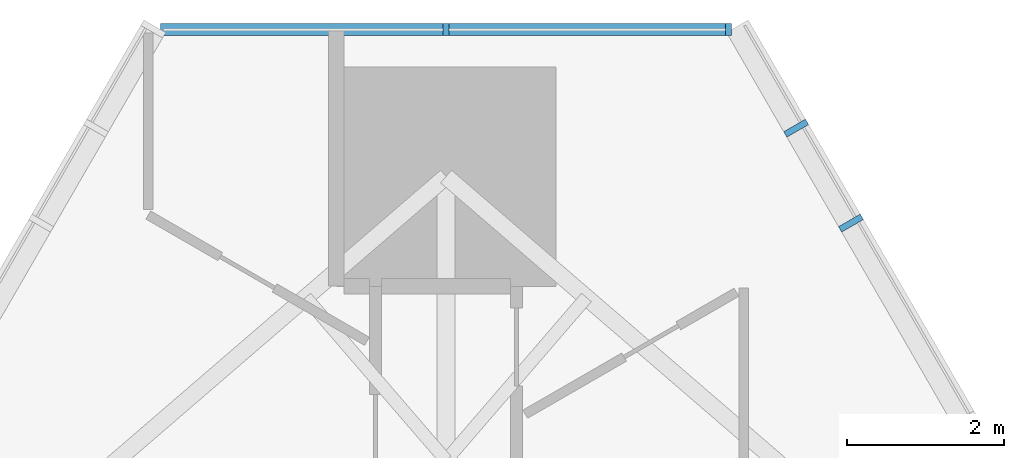
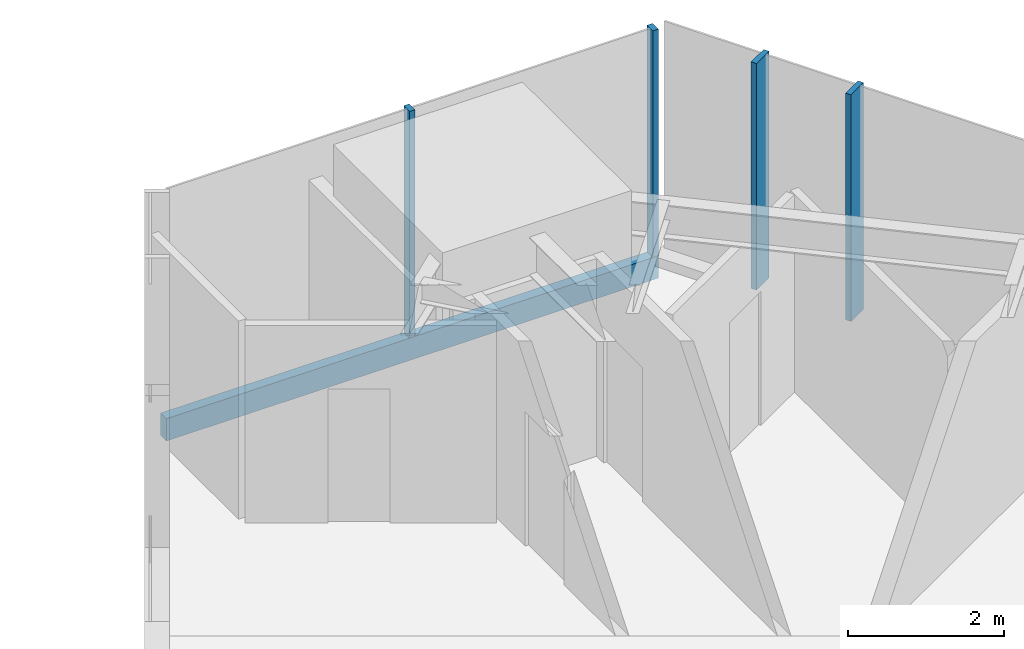
# One storey, part 8 of 24: 5 members, 2 elements without a shape of their own.
"""IFC4 building model written with IfcOpenShell, lengths in metres."""

import ifcopenshell
import ifcopenshell.guid

model = None  # the IFC model being written
_history = None  # IfcOwnerHistory: only IFC2X3 demands one
_inside = {}  # id of a spatial element -> (the spatial element, [elements in it])
_under = {}  # id of a project, library or spatial element -> (it, [spatial elements below it])
_declared = {}  # id of a project -> (the project, [libraries it declares])
_typed = {}  # id of a type object -> (the type object, [elements of that type])
_made_of = {}  # id of a material, layer set ... -> (it, [elements and type objects made of it])


def new_model(schema):
    """Start an empty IFC model of exactly this schema.

    Asked for "IFC4X3", IfcOpenShell would pick the latest addendum, in which some entities
    have other attributes; the version numbers below select the first issue.
    IFC2X3 requires an IfcOwnerHistory on every rooted entity: one is made here for all.
    """
    global model, _history
    if schema == "IFC4X3":
        model = ifcopenshell.file(schema_version=(4, 3, 0, 0))
    else:
        model = ifcopenshell.file(schema=schema)
    _inside.clear()
    _under.clear()
    _declared.clear()
    _typed.clear()
    _made_of.clear()
    _history = None
    if model.schema == "IFC2X3":
        org = make("IfcOrganization", Name="unknown")
        user = make(
            "IfcPersonAndOrganization",
            ThePerson=make("IfcPerson", FamilyName="unknown"),
            TheOrganization=org,
        )
        app = make(
            "IfcApplication",
            ApplicationDeveloper=org,
            Version="unknown",
            ApplicationFullName="unknown",
            ApplicationIdentifier="unknown",
        )
        _history = make(
            "IfcOwnerHistory",
            OwningUser=user,
            OwningApplication=app,
            ChangeAction="ADDED",
            CreationDate=0,
        )
    return model


def make(cls, **values):
    """One entity of the class cls with the attributes given. An attribute that is None is left unset."""
    return model.create_entity(
        cls, **{name: value for name, value in values.items() if value is not None}
    )


def rooted(cls, **values):
    """An entity with a GlobalId (a new one), such as an element, a storey or a relation."""
    return make(cls, GlobalId=ifcopenshell.guid.new(), OwnerHistory=_history, **values)


def si_unit(unit_type, name, prefix=None):
    """IfcSIUnit, for example si_unit("LENGTHUNIT", "METRE", prefix="MILLI")."""
    return make("IfcSIUnit", UnitType=unit_type, Prefix=prefix, Name=name)


def assignment(units):
    """IfcUnitAssignment: the units of a project."""
    return None if units is None else make("IfcUnitAssignment", Units=units)


def point(xyz):
    """IfcCartesianPoint."""
    return None if xyz is None else make("IfcCartesianPoint", Coordinates=xyz)


def direction(xyz):
    """IfcDirection."""
    return None if xyz is None else make("IfcDirection", DirectionRatios=xyz)


def frame(location, z_axis=None, x_axis=None):
    """IfcAxis2Placement3D, a coordinate frame: its origin and axes. An axis left out is left unset."""
    return make(
        "IfcAxis2Placement3D",
        Location=point(location),
        Axis=direction(z_axis),
        RefDirection=direction(x_axis),
    )


def frame_2d(location, x_axis=None):
    """IfcAxis2Placement2D, a coordinate frame in the plane: its origin and x axis."""
    return make(
        "IfcAxis2Placement2D", Location=point(location), RefDirection=direction(x_axis)
    )


def origin():
    """The frame at (0, 0, 0) with its axes left unset."""
    return frame((0.0, 0.0, 0.0))


def origin_2d():
    """The frame at (0, 0) in the plane with its x axis left unset."""
    return frame_2d((0.0, 0.0))


def place(relative_to, where):
    """IfcLocalPlacement: puts the frame where relative to a parent placement (None: the world)."""
    return make(
        "IfcLocalPlacement", PlacementRelTo=relative_to, RelativePlacement=where
    )


def context(
    kind, dimensions, precision=None, world=None, true_north=None, identifier=None
):
    """IfcGeometricRepresentationContext, for example the 3D "Model" context."""
    return make(
        "IfcGeometricRepresentationContext",
        ContextIdentifier=identifier,
        ContextType=kind,
        CoordinateSpaceDimension=dimensions,
        Precision=precision,
        WorldCoordinateSystem=world,
        TrueNorth=true_north,
    )


def subcontext(parent, identifier, kind, view, scale=None):
    """IfcGeometricRepresentationSubContext, for example "Body" below "Model"."""
    return make(
        "IfcGeometricRepresentationSubContext",
        ContextIdentifier=identifier,
        ContextType=kind,
        ParentContext=parent,
        TargetScale=scale,
        TargetView=view,
    )


def project(units=None, contexts=None):
    """IfcProject with its units and contexts."""
    return rooted(
        "IfcProject",
        Name="project",
        RepresentationContexts=contexts,
        UnitsInContext=assignment(units),
    )


def spatial(cls, under=None, at=None, **own):
    """A site, building, storey or space (cls), placed at a placement, below another one or the project."""
    s = rooted(cls, ObjectPlacement=at, **own)
    if under is not None:
        _under.setdefault(under.id(), (under, []))[1].append(s)
    return s


def profile(cls, at=None, kind="AREA", **sizes):
    """A parametric profile (cls). Its sizes go by their IFC names, for example OverallWidth=200.0."""
    return make(cls, ProfileType=kind, Position=at, **sizes)


def rectangle(**sizes):
    """IfcRectangleProfileDef."""
    return profile("IfcRectangleProfileDef", **sizes)


def extrude(swept, where, along, depth):
    """IfcExtrudedAreaSolid: the profile swept, set in the frame where, extruded along a direction by depth."""
    return make(
        "IfcExtrudedAreaSolid",
        SweptArea=swept,
        Position=where,
        ExtrudedDirection=direction(along),
        Depth=depth,
    )


def shape(context_of_items, identifier, shape_type, items):
    """IfcShapeRepresentation: the items that make up one representation, for example the "Body"."""
    return make(
        "IfcShapeRepresentation",
        ContextOfItems=context_of_items,
        RepresentationIdentifier=identifier,
        RepresentationType=shape_type,
        Items=items,
    )


def material(Name=None, Category=None):
    """IfcMaterial."""
    return make("IfcMaterial", Name=Name, Category=Category)


def layer(
    of_material, thickness, ventilated=None, Name=None, Category=None, Priority=None
):
    """IfcMaterialLayer: one layer of a wall or slab, of a material (None: an air gap)."""
    return make(
        "IfcMaterialLayer",
        Material=of_material,
        LayerThickness=thickness,
        IsVentilated=ventilated,
        Name=Name,
        Category=Category,
        Priority=Priority,
    )


def layer_set(layers, Name=None):
    """IfcMaterialLayerSet."""
    return make("IfcMaterialLayerSet", MaterialLayers=layers, LayerSetName=Name)


def material_profile(
    of_material, cross_section, Name=None, Category=None, Priority=None
):
    """IfcMaterialProfile: a cross section and its material."""
    return make(
        "IfcMaterialProfile",
        Name=Name,
        Material=of_material,
        Profile=cross_section,
        Priority=Priority,
        Category=Category,
    )


def profile_set(profiles, Name=None, composite=None):
    """IfcMaterialProfileSet."""
    return make(
        "IfcMaterialProfileSet",
        Name=Name,
        MaterialProfiles=profiles,
        CompositeProfile=composite,
    )


def made_of(thing, what):
    """Note that an element or type object is made of a material, layer set ...; save() writes the relation."""
    if what is not None:
        _made_of.setdefault(what.id(), (what, []))[1].append(thing)
    return thing


def type_object(cls, material=None, **own):
    """A type object (cls), such as IfcWallType, which elements share."""
    return made_of(rooted(cls, **own), material)


def element(
    cls,
    number,
    at=None,
    inside=None,
    cuts=None,
    type_object=None,
    material=None,
    context=None,
    identifier="Body",
    shape_type=None,
    held_by="IfcProductDefinitionShape",
    body=None,
    shapes=None,
    **own,
):
    """One element of the class cls, such as IfcWall. Its Tag is "e" and its number.

    at: its placement. inside: the storey or other place that contains it. cuts: it is an
    opening in that element (IfcRelVoidsElement). A single representation is given by context,
    identifier, shape_type and body (its items); several are given by shapes. held_by: the class
    of the entity that holds the representations. save() writes the other relations.
    """
    e = rooted(cls, Tag="e%d" % number, ObjectPlacement=at, **own)
    if body is not None:
        shapes = [shape(context, identifier, shape_type, body)]
    if shapes is not None:
        e.Representation = make(held_by, Representations=shapes)
    if inside is not None:
        _inside.setdefault(inside.id(), (inside, []))[1].append(e)
    if cuts is not None:
        rooted(
            "IfcRelVoidsElement", RelatingBuildingElement=cuts, RelatedOpeningElement=e
        )
    if type_object is not None:
        _typed.setdefault(type_object.id(), (type_object, []))[1].append(e)
    return made_of(e, material)


def aggregate(whole, parts):
    """IfcRelAggregates: a whole, such as a stair, and the parts it consists of."""
    return rooted("IfcRelAggregates", RelatingObject=whole, RelatedObjects=parts)


def save(model, path):
    """Write the relations noted so far, then the file.

    IfcRelAggregates (storeys below a building ...), IfcRelContainedInSpatialStructure (elements
    in a storey), IfcRelDefinesByType, IfcRelAssociatesMaterial and IfcRelDeclares: one each for
    every whole, place, type object, material and project.
    """
    for whole, parts in _under.values():
        aggregate(whole, parts)
    for where, things in _inside.values():
        rooted(
            "IfcRelContainedInSpatialStructure",
            RelatedElements=things,
            RelatingStructure=where,
        )
    for kind, things in _typed.values():
        rooted("IfcRelDefinesByType", RelatedObjects=things, RelatingType=kind)
    for what, things in _made_of.values():
        rooted("IfcRelAssociatesMaterial", RelatedObjects=things, RelatingMaterial=what)
    for by, libraries in _declared.values():
        rooted("IfcRelDeclares", RelatingContext=by, RelatedDefinitions=libraries)
    model.write(path)


model = new_model("IFC4")

# Units and contexts
model_context = context("Model", 3, precision=1e-05, world=origin(), true_north=direction((0.0, 1.0)))
body_context = subcontext(model_context, "Body", "Model", "MODEL_VIEW")
ifc_project = project(units=[si_unit("LENGTHUNIT", "METRE"), si_unit("AREAUNIT", "SQUARE_METRE"), si_unit("VOLUMEUNIT", "CUBIC_METRE"), si_unit("PLANEANGLEUNIT", "RADIAN"), si_unit("MASSUNIT", "GRAM", prefix="KILO")], contexts=[model_context])

# Site, building, storey
site_placement = place(None, origin())
site = spatial("IfcSite", under=ifc_project, at=site_placement, CompositionType="ELEMENT")
building_placement = place(site_placement, origin())
building = spatial("IfcBuilding", under=site, at=building_placement, Name="Firuza Gate Tower and Library", CompositionType="ELEMENT")
storey_placement = place(building_placement, frame((0.0, 0.0, 194.800048828125)))
storey = spatial("IfcBuildingStorey", under=building, at=storey_placement, Name="L45", CompositionType="ELEMENT", Elevation=194.800048828125)

# Curtain wall, members
ifc_material_1 = material(Name="Aluminium 6063-T6", Category="aluminium")
ifc_layer_1 = layer(ifc_material_1, 0.14990234375)
ifc_layer_set_1 = layer_set([ifc_layer_1], Name="Corner curtain wall, chamfers")
curtain_wall_type_1 = type_object("IfcCurtainWallType", Name="Corner curtain wall, chamfers", PredefinedType="NOTDEFINED", material=ifc_layer_set_1)
placement = place(storey_placement, origin())
curtain_wall_1 = element("IfcCurtainWall", 1, at=placement, inside=storey, type_object=curtain_wall_type_1, Name="CW4 L45 N corner", PredefinedType="NOTDEFINED")
ifc_material_2 = material(Name="Aluminium 6063-T6", Category="aluminium")
ifc_material_profile_1 = material_profile(ifc_material_2, rectangle(XDim=0.14990234375, YDim=0.080078125, at=origin_2d()))
ifc_profile_set_1 = profile_set([ifc_material_profile_1], Name="Aluminium 6063-T6")
member_type_1 = type_object("IfcMemberType", Name="Curtain wall mullion 80x150", PredefinedType="MULLION", material=ifc_profile_set_1)
member_1_placement = place(storey_placement, frame((78.603271484375, 107.241943359375, 0.14990234375), z_axis=(0.0, 0.0, 1.0), x_axis=(0.0, -1.0, 0.0)))
member_1 = element("IfcMember", 2, at=member_1_placement, type_object=member_type_1, Name="Mullion", PredefinedType="MULLION", context=body_context, shape_type="SweptSolid", body=[
    extrude(rectangle(XDim=0.14990234375, YDim=0.080078125, at=origin_2d()), origin(), (0.0, 0.0, 1.0), 3.550048828125),
])
member_2_placement = place(storey_placement, frame((75.0, 107.241943359375, 0.14990234375), z_axis=(0.0, 0.0, 1.0), x_axis=(0.0, -1.0, 0.0)))
member_2 = element("IfcMember", 3, at=member_2_placement, type_object=member_type_1, Name="Mullion", PredefinedType="MULLION", context=body_context, shape_type="SweptSolid", body=[
    extrude(rectangle(XDim=0.14990234375, YDim=0.080078125, at=origin_2d()), origin(), (0.0, 0.0, 1.0), 3.550048828125),
])

ifc_material_3 = material(Name="Aluminium 6063-T6", Category="aluminium")
ifc_layer_2 = layer(ifc_material_3, 0.14990234375)
ifc_layer_set_2 = layer_set([ifc_layer_2], Name="Unitised curtain wall, hotel")
curtain_wall_type_2 = type_object("IfcCurtainWallType", Name="Unitised curtain wall, hotel", PredefinedType="NOTDEFINED", material=ifc_layer_set_2)
curtain_wall_2 = element("IfcCurtainWall", 4, at=placement, inside=storey, type_object=curtain_wall_type_2, Name="CW2 L45 E face", PredefinedType="NOTDEFINED")
ifc_material_4 = material(Name="Aluminium 6063-T6", Category="aluminium")
ifc_material_profile_2 = material_profile(ifc_material_4, rectangle(XDim=0.320068359375, YDim=0.080078125, at=origin_2d()))
ifc_profile_set_2 = profile_set([ifc_material_profile_2], Name="Aluminium 6063-T6")
member_type_2 = type_object("IfcMemberType", Name="Curtain wall mullion 80x320", PredefinedType="MULLION", material=ifc_profile_set_2)
member_3_placement = place(storey_placement, frame((80.1669921875, 104.77294921875, 0.14990234375), z_axis=(0.0, 0.0, 1.0), x_axis=(-0.866025403784, -0.5, 0.0)))
member_3 = element("IfcMember", 5, at=member_3_placement, type_object=member_type_2, Name="Mullion", PredefinedType="MULLION", context=body_context, shape_type="SweptSolid", body=[
    extrude(rectangle(XDim=0.320068359375, YDim=0.080078125, at=origin_2d()), origin(), (0.0, 0.0, 1.0), 3.550048828125),
])
member_4_placement = place(storey_placement, frame((79.467529296875, 105.984375, 0.14990234375), z_axis=(0.0, 0.0, 1.0), x_axis=(-0.866025403784, -0.5, 0.0)))
member_4 = element("IfcMember", 6, at=member_4_placement, type_object=member_type_2, Name="Mullion", PredefinedType="MULLION", context=body_context, shape_type="SweptSolid", body=[
    extrude(rectangle(XDim=0.320068359375, YDim=0.080078125, at=origin_2d()), origin(), (0.0, 0.0, 1.0), 3.550048828125),
])
aggregate(curtain_wall_2, [member_3, member_4])

# Member
ifc_material_5 = material(Name="Aluminium 6063-T6", Category="aluminium")
ifc_material_profile_3 = material_profile(ifc_material_5, rectangle(XDim=0.14990234375, YDim=0.35009765625, at=origin_2d()))
ifc_profile_set_3 = profile_set([ifc_material_profile_3], Name="Aluminium 6063-T6")
member_type_3 = type_object("IfcMemberType", Name="Curtain wall transom 350x150", PredefinedType="USERDEFINED", material=ifc_profile_set_3)
member_5_placement = place(storey_placement, frame((78.643310546875, 107.241943359375, -0.025146484375), z_axis=(-1.0, 0.0, 0.0), x_axis=(0.0, -1.0, 0.0)))
member_5 = element("IfcMember", 7, at=member_5_placement, type_object=member_type_3, Name="Transom", ObjectType="TRANSOM", PredefinedType="USERDEFINED", context=body_context, shape_type="SweptSolid", body=[
    extrude(rectangle(XDim=0.14990234375, YDim=0.35009765625, at=origin_2d()), origin(), (0.0, 0.0, 1.0), 7.28662109375),
])

aggregate(curtain_wall_1, [member_1, member_2, member_5])

save(model, "model.ifc")
